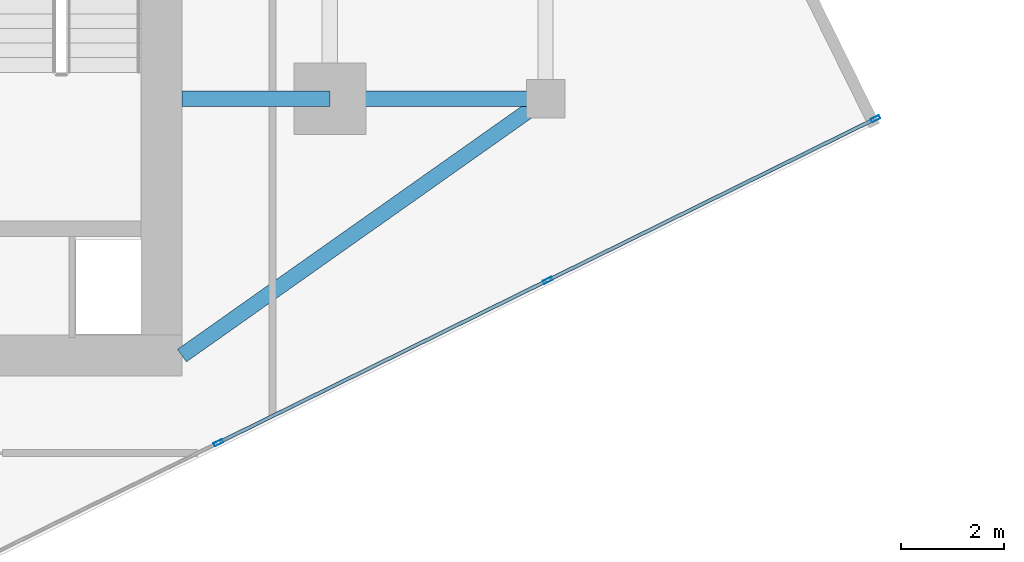
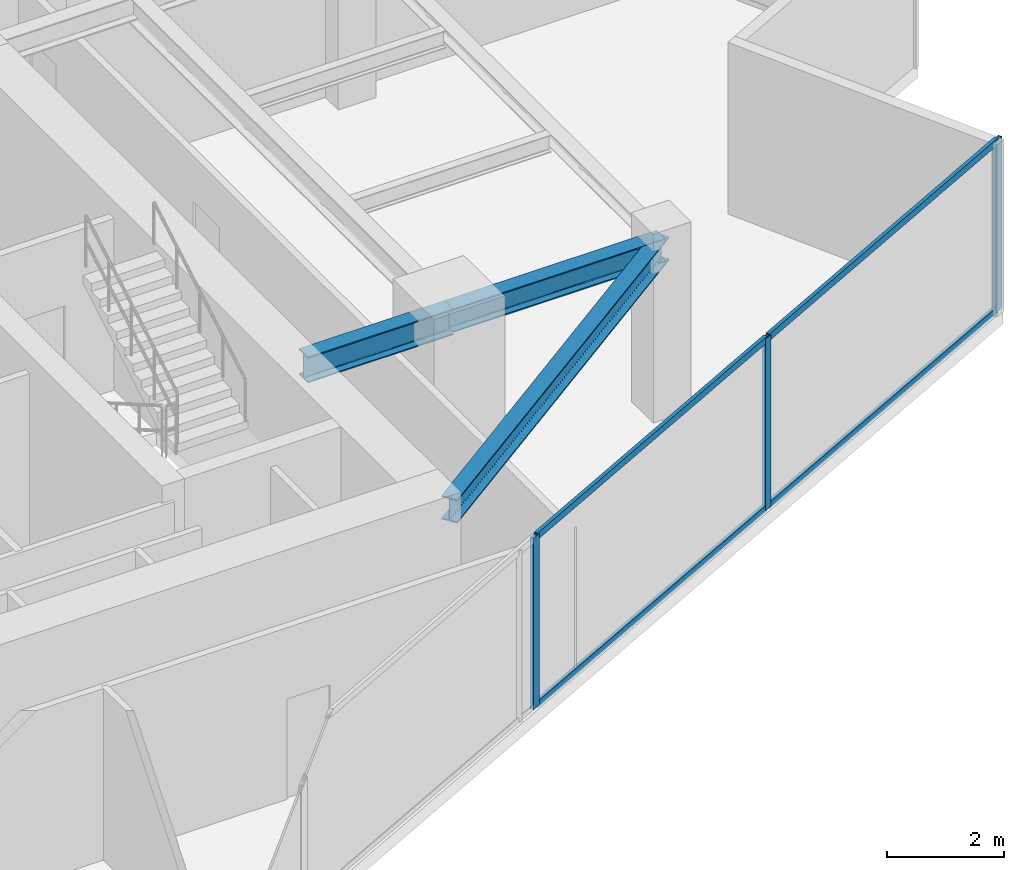
# One storey, part 8 of 22: 7 members, 3 beams, 1 element without a shape of its own.
"""IFC4 building model written with IfcOpenShell, lengths in metres."""

from ifc_helpers import new_model, si_unit, direction, frame, origin, origin_2d, place, context, subcontext, project, spatial, hollow_rectangle, i_section, extrude, source, transform, mapped, material, material_profile, profile_set, type_object, type_shapes, element, aggregate, save


model = new_model("IFC4")

# Units and contexts
model_context = context("Model", 3, precision=1e-05, world=origin(), true_north=direction((0.0, 1.0)))
body_context = subcontext(model_context, "Body", "Model", "MODEL_VIEW")
ifc_project = project(units=[si_unit("LENGTHUNIT", "METRE"), si_unit("AREAUNIT", "SQUARE_METRE"), si_unit("VOLUMEUNIT", "CUBIC_METRE"), si_unit("PLANEANGLEUNIT", "RADIAN"), si_unit("MASSUNIT", "GRAM", prefix="KILO")], contexts=[model_context])

# Site, building, storey
site_placement = place(None, origin())
site = spatial("IfcSite", under=ifc_project, at=site_placement, CompositionType="ELEMENT")
building_placement = place(site_placement, origin())
building = spatial("IfcBuilding", under=site, at=building_placement, Name="Krantzveldt Concourse Tower", CompositionType="ELEMENT")
storey_placement = place(building_placement, frame((0.0, 0.0, 314.800048828125)))
storey = spatial("IfcBuildingStorey", under=building, at=storey_placement, Name="L77", CompositionType="ELEMENT", Elevation=314.800048828125)

# Beams
ifc_material_1 = material(Name="Steel S355JR", Category="steel")
ifc_material_profile_1 = material_profile(ifc_material_1, i_section(OverallWidth=0.300048828125, OverallDepth=0.489990234375, WebThickness=0.011962890625, FlangeThickness=0.02294921875, FilletRadius=0.027099609375, at=origin_2d()), Name="Steel S355JR", Category="steel")
ifc_profile_set_1 = profile_set([ifc_material_profile_1], Name="Steel S355JR - HEA 500")
beam_type_1 = type_object("IfcBeamType", Name="BM-B-HEA500", PredefinedType="BEAM", material=ifc_profile_set_1)
shared_shape_1 = source(origin(), body_context, "Body", "SweptSolid", [
    extrude(i_section(OverallWidth=0.300048828125, OverallDepth=0.489990234375, WebThickness=0.011962890625, FlangeThickness=0.02294921875, FilletRadius=0.027099609375, at=origin_2d()), origin(), (0.0, 0.0, 1.0), 4.199951171875),
])
beam_1_placement = place(storey_placement, frame((46.800048828125, 15.89990234375, 3.344970703125), z_axis=(1.0, 0.0, 0.0), x_axis=(0.0, 1.0, 0.0)))
element("IfcBeam", 1, at=beam_1_placement, inside=storey, type_object=beam_type_1, Name="L77 Tower Girder BR-RR1", PredefinedType="BEAM", context=body_context, shape_type="MappedRepresentation", body=[
    mapped(shared_shape_1, transform((0.0, 0.0, 0.0), x_axis=(1.0, 0.0, 0.0), y_axis=(0.0, 1.0, 0.0), z_axis=(0.0, 0.0, 1.0), scale=1.0)),
])
shared_shape_2 = source(origin(), body_context, "Body", "SweptSolid", [
    extrude(i_section(OverallWidth=0.300048828125, OverallDepth=0.489990234375, WebThickness=0.011962890625, FlangeThickness=0.02294921875, FilletRadius=0.027099609375, at=origin_2d()), origin(), (0.0, 0.0, 1.0), 8.667724609375),
])
type_shapes(beam_type_1, [shared_shape_1, shared_shape_2])
beam_2_placement = place(storey_placement, frame((51.0, 15.89990234375, 3.344970703125), z_axis=(-0.81684294656, -0.576860122261, 0.0), x_axis=(0.576860122261, -0.81684294656, 0.0)))
element("IfcBeam", 2, at=beam_2_placement, inside=storey, type_object=beam_type_1, Name="L77 Tower Girder BR-CSE", PredefinedType="BEAM", context=body_context, shape_type="MappedRepresentation", body=[
    mapped(shared_shape_2, transform((0.0, 0.0, 0.0), x_axis=(1.0, 0.0, 0.0), y_axis=(0.0, 1.0, 0.0), z_axis=(0.0, 0.0, 1.0), scale=1.0)),
])
ifc_material_profile_2 = material_profile(ifc_material_1, i_section(OverallWidth=0.300048828125, OverallDepth=0.5400390625, WebThickness=0.012451171875, FlangeThickness=0.02392578125, FilletRadius=0.027099609375, at=origin_2d()), Name="Steel S355JR", Category="steel")
ifc_profile_set_2 = profile_set([ifc_material_profile_2], Name="Steel S355JR - HEA 550")
beam_type_2 = type_object("IfcBeamType", Name="BM-B-HEA550", PredefinedType="BEAM", material=ifc_profile_set_2)
shared_shape_3 = source(origin(), body_context, "Body", "SweptSolid", [
    extrude(i_section(OverallWidth=0.300048828125, OverallDepth=0.5400390625, WebThickness=0.012451171875, FlangeThickness=0.02392578125, FilletRadius=0.027099609375, at=origin_2d()), origin(), (0.0, 0.0, 1.0), 2.880126953125),
])
type_shapes(beam_type_2, [shared_shape_3])
beam_3_placement = place(storey_placement, frame((43.919921875, 15.89990234375, 3.320068359375), z_axis=(1.0, 0.0, 0.0), x_axis=(0.0, 1.0, 0.0)))
element("IfcBeam", 3, at=beam_3_placement, inside=storey, type_object=beam_type_2, Name="L77 Tower Girder BG-CE1", PredefinedType="BEAM", context=body_context, shape_type="MappedRepresentation", body=[
    mapped(shared_shape_3, transform((0.0, 0.0, 0.0), x_axis=(1.0, 0.0, 0.0), y_axis=(0.0, 1.0, 0.0), z_axis=(0.0, 0.0, 1.0), scale=1.0)),
])

# Curtain wall, members
ifc_material_2 = material(Name="Anodised aluminium 6063-T6", Category="aluminium")
curtain_wall_type = type_object("IfcCurtainWallType", Name="CW4", PredefinedType="USERDEFINED", material=ifc_material_2)
curtain_wall_placement = place(storey_placement, origin())
curtain_wall = element("IfcCurtainWall", 4, at=curtain_wall_placement, inside=storey, type_object=curtain_wall_type, Name="CW-L77-F07", ObjectType="UNITISED CURTAIN WALL", PredefinedType="USERDEFINED")
ifc_material_profile_3 = material_profile(ifc_material_2, hollow_rectangle(XDim=0.070068359375, YDim=0.179931640625, WallThickness=0.0048828125, at=origin_2d()), Name="Anodised aluminium 6063-T6", Category="aluminium")
ifc_profile_set_3 = profile_set([ifc_material_profile_3], Name="Anodised aluminium 6063-T6 - ALU-MULL 180x70x5")
member_type_1 = type_object("IfcMemberType", Name="CW-MUL-180", PredefinedType="MULLION", material=ifc_profile_set_3)
shared_shape_4 = source(origin(), body_context, "Body", "SweptSolid", [
    extrude(hollow_rectangle(XDim=0.070068359375, YDim=0.179931640625, WallThickness=0.0048828125, at=origin_2d()), origin(), (0.0, 0.0, 1.0), 3.58984375),
])
type_shapes(member_type_1, [shared_shape_4])
member_1_placement = place(storey_placement, frame((44.629150390625, 9.201904296875, 0.0), z_axis=(0.0, 0.0, 1.0), x_axis=(-0.442288511927, 0.896872829457, 0.0)))
member_1 = element("IfcMember", 5, at=member_1_placement, type_object=member_type_1, Name="CW-Z56 mullion 3", PredefinedType="MULLION", context=body_context, shape_type="MappedRepresentation", body=[
    mapped(shared_shape_4, transform((0.0, 0.0, 0.0), x_axis=(1.0, 0.0, 0.0), y_axis=(0.0, 1.0, 0.0), z_axis=(0.0, 0.0, 1.0), scale=1.0)),
])
member_2_placement = place(storey_placement, frame((51.041748046875, 12.3642578125, 0.0), z_axis=(0.0, 0.0, 1.0), x_axis=(-0.442288511927, 0.896872829457, 0.0)))
member_2 = element("IfcMember", 6, at=member_2_placement, type_object=member_type_1, Name="CW-Z56 mullion 4", PredefinedType="MULLION", context=body_context, shape_type="MappedRepresentation", body=[
    mapped(shared_shape_4, transform((0.0, 0.0, 0.0), x_axis=(1.0, 0.0, 0.0), y_axis=(0.0, 1.0, 0.0), z_axis=(0.0, 0.0, 1.0), scale=1.0)),
])
member_3_placement = place(storey_placement, frame((57.4228515625, 15.51123046875, 0.0), z_axis=(0.0, 0.0, 1.0), x_axis=(-0.442288511927, 0.896872829457, 0.0)))
member_3 = element("IfcMember", 7, at=member_3_placement, type_object=member_type_1, Name="CW-Z56 mullion 5", PredefinedType="MULLION", context=body_context, shape_type="MappedRepresentation", body=[
    mapped(shared_shape_4, transform((0.0, 0.0, 0.0), x_axis=(1.0, 0.0, 0.0), y_axis=(0.0, 1.0, 0.0), z_axis=(0.0, 0.0, 1.0), scale=1.0)),
])
ifc_material_profile_4 = material_profile(ifc_material_2, hollow_rectangle(XDim=0.070068359375, YDim=0.139892578125, WallThickness=0.0048828125, at=origin_2d()), Name="Anodised aluminium 6063-T6", Category="aluminium")
ifc_profile_set_4 = profile_set([ifc_material_profile_4], Name="Anodised aluminium 6063-T6 - ALU-TRAN 140x70x5")
member_type_2 = type_object("IfcMemberType", Name="CW-TRN-150", PredefinedType="USERDEFINED", material=ifc_profile_set_4)
shared_shape_5 = source(origin(), body_context, "Body", "SweptSolid", [
    extrude(hollow_rectangle(XDim=0.070068359375, YDim=0.139892578125, WallThickness=0.0048828125, at=origin_2d()), origin(), (0.0, 0.0, 1.0), 7.080078125),
])
member_4_placement = place(storey_placement, frame((44.660400390625, 9.217529296875, 0.034912109375), z_axis=(0.896875742426, 0.442282604958, 0.0), x_axis=(-0.442282604958, 0.896875742426, 0.0)))
member_4 = element("IfcMember", 8, at=member_4_placement, type_object=member_type_2, Name="CW-Z56 transom 3.1", ObjectType="TRANSOM", PredefinedType="USERDEFINED", context=body_context, shape_type="MappedRepresentation", body=[
    mapped(shared_shape_5, transform((0.0, 0.0, 0.0), x_axis=(1.0, 0.0, 0.0), y_axis=(0.0, 1.0, 0.0), z_axis=(0.0, 0.0, 1.0), scale=1.0)),
])
member_5_placement = place(storey_placement, frame((44.660400390625, 9.217529296875, 3.554931640625), z_axis=(0.896875742426, 0.442282604958, 0.0), x_axis=(-0.442282604958, 0.896875742426, 0.0)))
member_5 = element("IfcMember", 9, at=member_5_placement, type_object=member_type_2, Name="CW-Z56 transom 3.2", ObjectType="TRANSOM", PredefinedType="USERDEFINED", context=body_context, shape_type="MappedRepresentation", body=[
    mapped(shared_shape_5, transform((0.0, 0.0, 0.0), x_axis=(1.0, 0.0, 0.0), y_axis=(0.0, 1.0, 0.0), z_axis=(0.0, 0.0, 1.0), scale=1.0)),
])
shared_shape_6 = source(origin(), body_context, "Body", "SweptSolid", [
    extrude(hollow_rectangle(XDim=0.070068359375, YDim=0.139892578125, WallThickness=0.0048828125, at=origin_2d()), origin(), (0.0, 0.0, 1.0), 7.045166015625),
])
type_shapes(member_type_2, [shared_shape_5, shared_shape_6])
member_6_placement = place(storey_placement, frame((51.072998046875, 12.3798828125, 0.034912109375), z_axis=(0.896874071777, 0.44228599274, 0.0), x_axis=(-0.44228599274, 0.896874071777, 0.0)))
member_6 = element("IfcMember", 10, at=member_6_placement, type_object=member_type_2, Name="CW-Z56 transom 4.1", ObjectType="TRANSOM", PredefinedType="USERDEFINED", context=body_context, shape_type="MappedRepresentation", body=[
    mapped(shared_shape_6, transform((0.0, 0.0, 0.0), x_axis=(1.0, 0.0, 0.0), y_axis=(0.0, 1.0, 0.0), z_axis=(0.0, 0.0, 1.0), scale=1.0)),
])
member_7_placement = place(storey_placement, frame((51.072998046875, 12.3798828125, 3.554931640625), z_axis=(0.896874071777, 0.44228599274, 0.0), x_axis=(-0.44228599274, 0.896874071777, 0.0)))
member_7 = element("IfcMember", 11, at=member_7_placement, type_object=member_type_2, Name="CW-Z56 transom 4.2", ObjectType="TRANSOM", PredefinedType="USERDEFINED", context=body_context, shape_type="MappedRepresentation", body=[
    mapped(shared_shape_6, transform((0.0, 0.0, 0.0), x_axis=(1.0, 0.0, 0.0), y_axis=(0.0, 1.0, 0.0), z_axis=(0.0, 0.0, 1.0), scale=1.0)),
])
aggregate(curtain_wall, [member_1, member_2, member_3, member_4, member_5, member_6, member_7])

save(model, "model.ifc")
